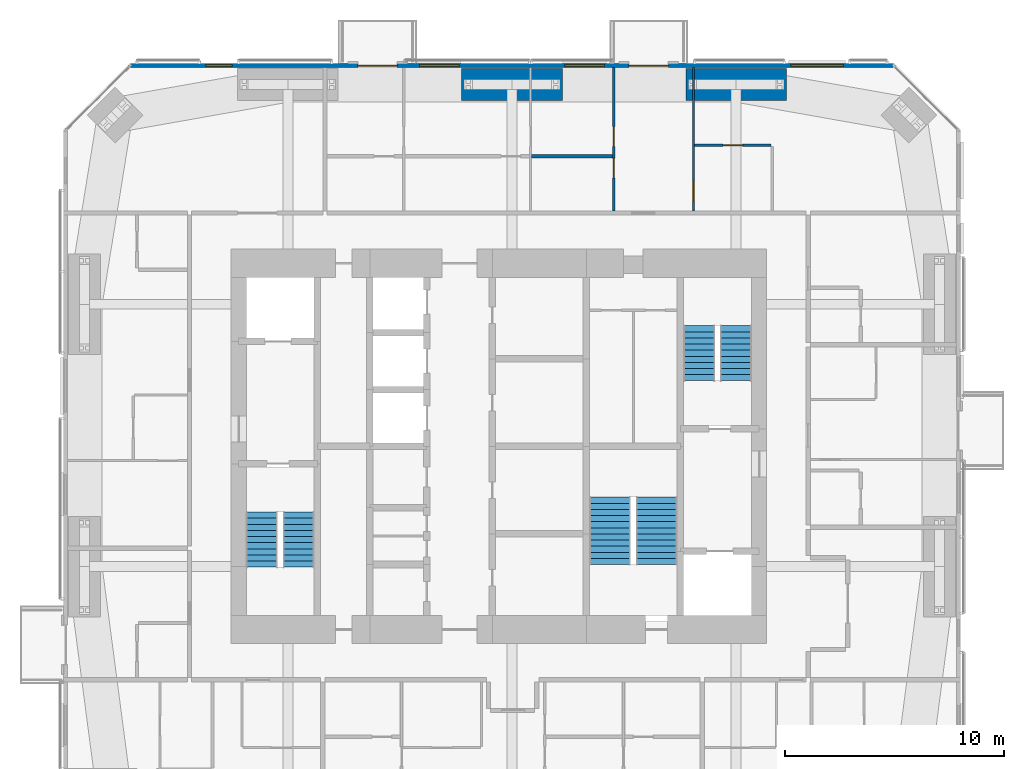
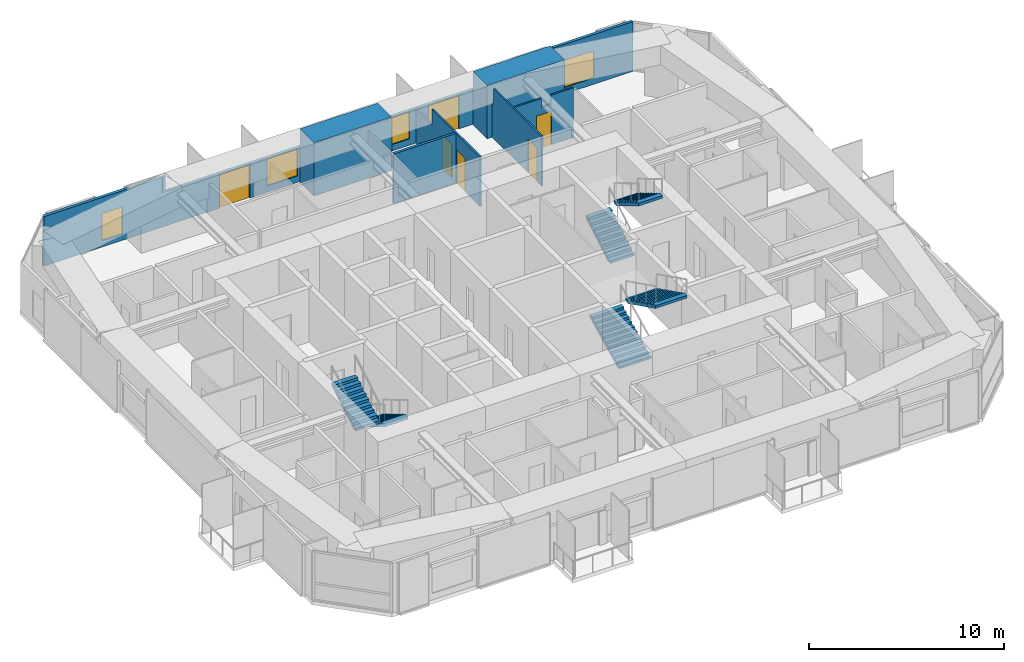
# One storey, part 21 of 22: 7 walls, 6 doors, 6 stair flights, 4 windows, 10 openings, 3 elements without a shape of their own.
"""IFC4 building model written with IfcOpenShell, lengths in metres."""

from ifc_helpers import new_model, si_unit, direction, frame, frame_2d, origin, place, context, subcontext, project, spatial, polyline, rectangle, outline, extrude, material, layer, layer_set, constituent, constituent_set, type_object, element, fill, aggregate, save


model = new_model("IFC4")

# Units and contexts
model_context = context("Model", 3, precision=1e-05, world=origin(), true_north=direction((0.0, 1.0)))
body_context = subcontext(model_context, "Body", "Model", "MODEL_VIEW")
ifc_project = project(units=[si_unit("LENGTHUNIT", "METRE"), si_unit("AREAUNIT", "SQUARE_METRE"), si_unit("VOLUMEUNIT", "CUBIC_METRE"), si_unit("PLANEANGLEUNIT", "RADIAN"), si_unit("MASSUNIT", "GRAM", prefix="KILO")], contexts=[model_context])

# Site, building, storey
site_placement = place(None, origin())
site = spatial("IfcSite", under=ifc_project, at=site_placement, CompositionType="ELEMENT")
building_placement = place(site_placement, origin())
building = spatial("IfcBuilding", under=site, at=building_placement, Name="Jalousie Tower", CompositionType="ELEMENT")
storey_placement = place(building_placement, frame((0.0, 0.0, 177.800048828125)))
storey = spatial("IfcBuildingStorey", under=building, at=storey_placement, Name="L48", CompositionType="ELEMENT", Elevation=177.800048828125)

# Wall
ifc_material_1 = material(Name="Concrete block ASTM C90", Category="concrete")
ifc_constituent_1 = constituent(ifc_material_1, Name="Body")
ifc_material_2 = material(Name="Render")
ifc_constituent_2 = constituent(ifc_material_2, Name="Finish")
ifc_constituent_set_1 = constituent_set(constituents=[ifc_constituent_1, ifc_constituent_2])
wall_type_1 = type_object("IfcWallType", Name="BATHROOM WALL 150", PredefinedType="PLUMBINGWALL", material=ifc_constituent_set_1)
wall_1_placement = place(storey_placement, frame((33.39990234375, 31.77490234375, 0.0), z_axis=(0.0, 0.0, 1.0), x_axis=(1.0, 0.0, 0.0)))
element("IfcWall", 1, at=wall_1_placement, inside=storey, type_object=wall_type_1, Name="Bathroom Wall 150 L48", PredefinedType="PLUMBINGWALL", context=body_context, shape_type="SweptSolid", body=[
    extrude(rectangle(XDim=3.7001953125, YDim=0.14990234375, at=frame_2d((1.85009765625, 0.0))), origin(), (0.0, 0.0, 1.0), 3.10986328125),
])

# Wall, openings, doors, windows
ifc_material_3 = material(Name="Concrete f'c 40 MPa", Category="concrete")
ifc_constituent_3 = constituent(ifc_material_3, Name="Body")
ifc_material_4 = material(Name="Render, pastel lemon")
ifc_constituent_4 = constituent(ifc_material_4, Name="Finish")
ifc_constituent_set_2 = constituent_set(constituents=[ifc_constituent_3, ifc_constituent_4])
wall_type_2 = type_object("IfcWallType", Name="EXTERNAL WALL 175 LEMON RENDER", PredefinedType="SOLIDWALL", material=ifc_constituent_set_2)
wall_2_placement = place(storey_placement, frame((49.94873046875, 35.91259765625, 0.0), z_axis=(0.0, 0.0, 1.0), x_axis=(-1.0, 0.0, 0.0)))
wall_2 = element("IfcWall", 2, at=wall_2_placement, inside=storey, type_object=wall_type_2, Name="External Wall 175 Lemon Render L48", PredefinedType="SOLIDWALL", context=body_context, shape_type="SweptSolid", body=[
    extrude(outline(polyline([(0.0, 0.0), (34.8974609375, 0.0), (34.8974609375, 3.10986328125), (27.91015625, 3.10986328125), (27.91015625, 2.14990234375), (27.8359375, 2.14990234375), (27.8359375, 3.10986328125), (27.69873046875, 3.10986328125), (27.69873046875, 2.14990234375), (7.19873046875, 2.14990234375), (7.19873046875, 3.10986328125), (7.0615234375, 3.10986328125), (7.0615234375, 2.14990234375), (6.9873046875, 2.14990234375), (6.9873046875, 3.10986328125), (0.0, 3.10986328125), (0.0, 0.0)])), frame((0.0, 0.08740234375, 0.0), z_axis=(0.0, -1.0, 0.0), x_axis=(1.0, 0.0, 0.0)), (0.0, 0.0, 1.0), 0.175048828125),
])
opening_1_placement = place(wall_2_placement, frame((2.299560546875, 0.0, 0.39990234375)))
opening_1 = element("IfcOpeningElement", 3, at=opening_1_placement, cuts=wall_2, Name="Opening W-LIV170", PredefinedType="OPENING", context=body_context, shape_type="SweptSolid", body=[
    extrude(rectangle(XDim=2.39990234375, YDim=1.699951171875, at=frame_2d((1.199951171875, 0.85009765625))), frame((0.0, 0.097412109375, 0.0), z_axis=(0.0, -1.0, 0.0), x_axis=(1.0, 0.0, 0.0)), (0.0, 0.0, 1.0), 0.195068359375),
])
opening_2_placement = place(wall_2_placement, frame((10.298583984375, 0.0, 0.0)))
opening_2 = element("IfcOpeningElement", 4, at=opening_2_placement, cuts=wall_2, Name="Opening D-BAL21", PredefinedType="OPENING", context=body_context, shape_type="SweptSolid", body=[
    extrude(rectangle(XDim=1.800048828125, YDim=2.10009765625, at=frame_2d((0.89990234375, 1.050048828125))), frame((0.0, 0.097412109375, 0.0), z_axis=(0.0, -1.0, 0.0), x_axis=(1.0, 0.0, 0.0)), (0.0, 0.0, 1.0), 0.195068359375),
])
opening_3_placement = place(wall_2_placement, frame((13.228759765625, 0.0, 0.39990234375)))
opening_3 = element("IfcOpeningElement", 5, at=opening_3_placement, cuts=wall_2, Name="Opening W-BED170", PredefinedType="OPENING", context=body_context, shape_type="SweptSolid", body=[
    extrude(rectangle(XDim=1.800048828125, YDim=1.699951171875, at=frame_2d((0.89990234375, 0.85009765625))), frame((0.0, 0.097412109375, 0.0), z_axis=(0.0, -1.0, 0.0), x_axis=(1.0, 0.0, 0.0)), (0.0, 0.0, 1.0), 0.195068359375),
])
opening_4_placement = place(wall_2_placement, frame((19.878662109375, 0.0, 0.39990234375)))
opening_4 = element("IfcOpeningElement", 6, at=opening_4_placement, cuts=wall_2, Name="Opening W-BED170", PredefinedType="OPENING", context=body_context, shape_type="SweptSolid", body=[
    extrude(rectangle(XDim=1.800048828125, YDim=1.699951171875, at=frame_2d((0.89990234375, 0.85009765625))), frame((0.0, 0.097412109375, 0.0), z_axis=(0.0, -1.0, 0.0), x_axis=(1.0, 0.0, 0.0)), (0.0, 0.0, 1.0), 0.195068359375),
])
opening_5_placement = place(wall_2_placement, frame((22.69873046875, 0.0, 0.0)))
opening_5 = element("IfcOpeningElement", 7, at=opening_5_placement, cuts=wall_2, Name="Opening D-BAL21", PredefinedType="OPENING", context=body_context, shape_type="SweptSolid", body=[
    extrude(rectangle(XDim=1.800048828125, YDim=2.10009765625, at=frame_2d((0.89990234375, 1.050048828125))), frame((0.0, 0.097412109375, 0.0), z_axis=(0.0, -1.0, 0.0), x_axis=(1.0, 0.0, 0.0)), (0.0, 0.0, 1.0), 0.195068359375),
])
opening_6_placement = place(wall_2_placement, frame((30.2431640625, 0.0, 0.39990234375)))
opening_6 = element("IfcOpeningElement", 8, at=opening_6_placement, cuts=wall_2, Name="Opening W-COR170", PredefinedType="OPENING", context=body_context, shape_type="SweptSolid", body=[
    extrude(rectangle(XDim=1.199951171875, YDim=1.699951171875, at=frame_2d((0.60009765625, 0.85009765625))), frame((0.0, 0.097412109375, 0.0), z_axis=(0.0, -1.0, 0.0), x_axis=(1.0, 0.0, 0.0)), (0.0, 0.0, 1.0), 0.195068359375),
])
ifc_material_5 = material(Name="Aluminium frame, impact-rated glazing", Category="aluminium")
door_type_1 = type_object("IfcDoorType", Name="BALCONY DOOR 1800x2100", OperationType="SLIDING_TO_LEFT", PredefinedType="DOOR", material=ifc_material_5)
door_1_placement = place(opening_2_placement, origin())
door_1 = element("IfcDoor", 9, at=door_1_placement, inside=storey, type_object=door_type_1, Name="Apartment 4804 study balcony door", OperationType="SLIDING_TO_LEFT", OverallHeight=2.10009765625, OverallWidth=1.800048828125, PredefinedType="DOOR", context=body_context, shape_type="SweptSolid", body=[
    extrude(rectangle(XDim=1.800048828125, YDim=2.10009765625, at=frame_2d((0.89990234375, 1.050048828125))), frame((0.0, 0.02490234375, 0.0), z_axis=(0.0, -1.0, 0.0), x_axis=(1.0, 0.0, 0.0)), (0.0, 0.0, 1.0), 0.050048828125),
])
fill(opening_2, door_1)
door_2_placement = place(opening_5_placement, origin())
door_2 = element("IfcDoor", 10, at=door_2_placement, inside=storey, type_object=door_type_1, Name="Apartment 4804 bedroom 1 balcony door", OperationType="SLIDING_TO_LEFT", OverallHeight=2.10009765625, OverallWidth=1.800048828125, PredefinedType="DOOR", context=body_context, shape_type="SweptSolid", body=[
    extrude(rectangle(XDim=1.800048828125, YDim=2.10009765625, at=frame_2d((0.89990234375, 1.050048828125))), frame((0.0, 0.02490234375, 0.0), z_axis=(0.0, -1.0, 0.0), x_axis=(1.0, 0.0, 0.0)), (0.0, 0.0, 1.0), 0.050048828125),
])
fill(opening_5, door_2)
ifc_material_6 = material(Name="Aluminium frame, impact-rated glazing", Category="aluminium")
window_type_1 = type_object("IfcWindowType", Name="WINDOW BED 1800x1700", PartitioningType="SINGLE_PANEL", PredefinedType="WINDOW", material=ifc_material_6)
window_1_placement = place(opening_3_placement, origin())
window_1 = element("IfcWindow", 11, at=window_1_placement, inside=storey, type_object=window_type_1, Name="Apartment 4804 bedroom 3 window", OverallHeight=1.699951171875, OverallWidth=1.800048828125, PartitioningType="SINGLE_PANEL", PredefinedType="WINDOW", context=body_context, shape_type="SweptSolid", body=[
    extrude(rectangle(XDim=1.800048828125, YDim=1.699951171875, at=frame_2d((0.89990234375, 0.85009765625))), frame((0.0, 0.030029296875, 0.0), z_axis=(0.0, -1.0, 0.0), x_axis=(1.0, 0.0, 0.0)), (0.0, 0.0, 1.0), 0.06005859375),
])
fill(opening_3, window_1)
window_2_placement = place(opening_4_placement, origin())
window_2 = element("IfcWindow", 12, at=window_2_placement, inside=storey, type_object=window_type_1, Name="Apartment 4804 bedroom 2 window", OverallHeight=1.699951171875, OverallWidth=1.800048828125, PartitioningType="SINGLE_PANEL", PredefinedType="WINDOW", context=body_context, shape_type="SweptSolid", body=[
    extrude(rectangle(XDim=1.800048828125, YDim=1.699951171875, at=frame_2d((0.89990234375, 0.85009765625))), frame((0.0, 0.030029296875, 0.0), z_axis=(0.0, -1.0, 0.0), x_axis=(1.0, 0.0, 0.0)), (0.0, 0.0, 1.0), 0.06005859375),
])
fill(opening_4, window_2)
ifc_material_7 = material(Name="Aluminium frame, impact-rated glazing", Category="aluminium")
window_type_2 = type_object("IfcWindowType", Name="WINDOW COR 1200x1700", PartitioningType="SINGLE_PANEL", PredefinedType="WINDOW", material=ifc_material_7)
window_3_placement = place(opening_6_placement, origin())
window_3 = element("IfcWindow", 13, at=window_3_placement, inside=storey, type_object=window_type_2, Name="Residents' lounge window", OverallHeight=1.699951171875, OverallWidth=1.199951171875, PartitioningType="SINGLE_PANEL", PredefinedType="WINDOW", context=body_context, shape_type="SweptSolid", body=[
    extrude(rectangle(XDim=1.199951171875, YDim=1.699951171875, at=frame_2d((0.60009765625, 0.85009765625))), frame((0.0, 0.030029296875, 0.0), z_axis=(0.0, -1.0, 0.0), x_axis=(1.0, 0.0, 0.0)), (0.0, 0.0, 1.0), 0.06005859375),
])
fill(opening_6, window_3)
ifc_material_8 = material(Name="Aluminium frame, impact-rated glazing", Category="aluminium")
window_type_3 = type_object("IfcWindowType", Name="WINDOW LIV 2400x1700", PartitioningType="DOUBLE_PANEL_VERTICAL", PredefinedType="WINDOW", material=ifc_material_8)
window_4_placement = place(opening_1_placement, origin())
window_4 = element("IfcWindow", 14, at=window_4_placement, inside=storey, type_object=window_type_3, Name="Apartment 4804 living and dining room window", OverallHeight=1.699951171875, OverallWidth=2.39990234375, PartitioningType="SINGLE_PANEL", PredefinedType="WINDOW", context=body_context, shape_type="SweptSolid", body=[
    extrude(rectangle(XDim=2.39990234375, YDim=1.699951171875, at=frame_2d((1.199951171875, 0.85009765625))), frame((0.0, 0.030029296875, 0.0), z_axis=(0.0, -1.0, 0.0), x_axis=(1.0, 0.0, 0.0)), (0.0, 0.0, 1.0), 0.06005859375),
])
fill(opening_1, window_4)

# Wall, openings, doors
ifc_material_9 = material(Name="Gypsum board", Category="gypsum")
ifc_constituent_5 = constituent(ifc_material_9, Name="Body")
ifc_material_10 = material(Name="Light-gauge steel studs ASTM A653 SS Grade 33", Category="steel")
ifc_constituent_6 = constituent(ifc_material_10, Name="Framing")
ifc_constituent_set_3 = constituent_set(constituents=[ifc_constituent_5, ifc_constituent_6])
wall_type_3 = type_object("IfcWallType", Name="PARTITION 100", PredefinedType="PARTITIONING", material=ifc_constituent_set_3)
wall_3_placement = place(storey_placement, frame((37.14990234375, 35.824951171875, 0.0), z_axis=(0.0, 0.0, 1.0), x_axis=(0.0, -1.0, 0.0)))
wall_3 = element("IfcWall", 15, at=wall_3_placement, inside=storey, type_object=wall_type_3, Name="Partition 100 L48", PredefinedType="PARTITIONING", context=body_context, shape_type="SweptSolid", body=[
    extrude(outline(polyline([(0.0, 0.0), (6.550048828125, 0.0), (6.550048828125, 3.10986328125), (1.635009765625, 3.10986328125), (1.635009765625, 2.14990234375), (0.0, 2.14990234375), (0.0, 3.10986328125), (0.0, 0.0)])), frame((0.0, 0.050048828125, 0.0), z_axis=(0.0, -1.0, 0.0), x_axis=(1.0, 0.0, 0.0)), (0.0, 0.0, 1.0), 0.10009765625),
])
opening_7_placement = place(wall_3_placement, frame((2.699951171875, 0.0, 0.0)))
opening_7 = element("IfcOpeningElement", 16, at=opening_7_placement, cuts=wall_3, Name="Opening D2", PredefinedType="OPENING", context=body_context, shape_type="SweptSolid", body=[
    extrude(rectangle(XDim=0.89990234375, YDim=2.10009765625, at=frame_2d((0.449951171875, 1.050048828125))), frame((0.0, 0.06005859375, 0.0), z_axis=(0.0, -1.0, 0.0), x_axis=(1.0, 0.0, 0.0)), (0.0, 0.0, 1.0), 0.1201171875),
])
opening_8_placement = place(wall_3_placement, frame((4.14990234375, 0.0, 0.0)))
opening_8 = element("IfcOpeningElement", 17, at=opening_8_placement, cuts=wall_3, Name="Opening D7", PredefinedType="OPENING", context=body_context, shape_type="SweptSolid", body=[
    extrude(rectangle(XDim=0.89990234375, YDim=2.10009765625, at=frame_2d((0.449951171875, 1.050048828125))), frame((0.0, 0.06005859375, 0.0), z_axis=(0.0, -1.0, 0.0), x_axis=(1.0, 0.0, 0.0)), (0.0, 0.0, 1.0), 0.1201171875),
])
ifc_material_11 = material(Name="Timber door", Category="wood")
door_type_2 = type_object("IfcDoorType", Name="BEDROOM DOOR 900", OperationType="SINGLE_SWING_LEFT", PredefinedType="DOOR", material=ifc_material_11)
door_3_placement = place(opening_7_placement, frame((0.89990234375, 0.0, 0.0), z_axis=(0.0, 0.0, 1.0), x_axis=(-1.0, 0.0, 0.0)))
door_3 = element("IfcDoor", 18, at=door_3_placement, inside=storey, type_object=door_type_2, Name="Apartment 4804 bedroom 3 door", OperationType="SINGLE_SWING_LEFT", OverallHeight=2.10009765625, OverallWidth=0.89990234375, PredefinedType="DOOR", context=body_context, shape_type="SweptSolid", body=[
    extrude(rectangle(XDim=0.89990234375, YDim=2.10009765625, at=frame_2d((0.449951171875, 1.050048828125))), frame((0.0, 0.02490234375, 0.0), z_axis=(0.0, -1.0, 0.0), x_axis=(1.0, 0.0, 0.0)), (0.0, 0.0, 1.0), 0.050048828125),
])
fill(opening_7, door_3)
ifc_material_12 = material(Name="Timber door", Category="wood")
door_type_3 = type_object("IfcDoorType", Name="INTERNAL DOOR 900", OperationType="SINGLE_SWING_LEFT", PredefinedType="DOOR", material=ifc_material_12)
door_4_placement = place(opening_8_placement, frame((0.89990234375, 0.0, 0.0), z_axis=(0.0, 0.0, 1.0), x_axis=(-1.0, 0.0, 0.0)))
door_4 = element("IfcDoor", 19, at=door_4_placement, inside=storey, type_object=door_type_3, Name="Apartment 4804 bathroom door", OperationType="SINGLE_SWING_RIGHT", OverallHeight=2.10009765625, OverallWidth=0.89990234375, PredefinedType="DOOR", context=body_context, shape_type="SweptSolid", body=[
    extrude(rectangle(XDim=0.89990234375, YDim=2.10009765625, at=frame_2d((0.449951171875, 1.050048828125))), frame((0.0, 0.02490234375, 0.0), z_axis=(0.0, -1.0, 0.0), x_axis=(1.0, 0.0, 0.0)), (0.0, 0.0, 1.0), 0.050048828125),
])
fill(opening_8, door_4)

# Wall, opening, door
wall_4_placement = place(storey_placement, frame((40.800048828125, 35.824951171875, 0.0), z_axis=(0.0, 0.0, 1.0), x_axis=(0.0, -1.0, 0.0)))
wall_4 = element("IfcWall", 20, at=wall_4_placement, inside=storey, type_object=wall_type_3, Name="Partition 100 L48", PredefinedType="PARTITIONING", context=body_context, shape_type="SweptSolid", body=[
    extrude(outline(polyline([(0.0, 0.0), (6.550048828125, 0.0), (6.550048828125, 3.10986328125), (1.635009765625, 3.10986328125), (1.635009765625, 2.14990234375), (0.0, 2.14990234375), (0.0, 3.10986328125), (0.0, 0.0)])), frame((0.0, 0.050048828125, 0.0), z_axis=(0.0, -1.0, 0.0), x_axis=(1.0, 0.0, 0.0)), (0.0, 0.0, 1.0), 0.10009765625),
])
opening_9_placement = place(wall_4_placement, frame((5.199951171875, 0.0, 0.0)))
opening_9 = element("IfcOpeningElement", 21, at=opening_9_placement, cuts=wall_4, Name="Opening D2", PredefinedType="OPENING", context=body_context, shape_type="SweptSolid", body=[
    extrude(rectangle(XDim=0.89990234375, YDim=2.10009765625, at=frame_2d((0.449951171875, 1.050048828125))), frame((0.0, 0.06005859375, 0.0), z_axis=(0.0, -1.0, 0.0), x_axis=(1.0, 0.0, 0.0)), (0.0, 0.0, 1.0), 0.1201171875),
])
door_5_placement = place(opening_9_placement, frame((0.89990234375, 0.0, 0.0), z_axis=(0.0, 0.0, 1.0), x_axis=(-1.0, 0.0, 0.0)))
door_5 = element("IfcDoor", 22, at=door_5_placement, inside=storey, type_object=door_type_2, Name="Apartment 4804 study door", OperationType="SINGLE_SWING_LEFT", OverallHeight=2.10009765625, OverallWidth=0.89990234375, PredefinedType="DOOR", context=body_context, shape_type="SweptSolid", body=[
    extrude(rectangle(XDim=0.89990234375, YDim=2.10009765625, at=frame_2d((0.449951171875, 1.050048828125))), frame((0.0, 0.02490234375, 0.0), z_axis=(0.0, -1.0, 0.0), x_axis=(1.0, 0.0, 0.0)), (0.0, 0.0, 1.0), 0.050048828125),
])
fill(opening_9, door_5)

wall_5_placement = place(storey_placement, frame((40.85009765625, 32.27490234375, 0.0), z_axis=(0.0, 0.0, 1.0), x_axis=(1.0, 0.0, 0.0)))
wall_5 = element("IfcWall", 23, at=wall_5_placement, inside=storey, type_object=wall_type_3, Name="Partition 100 L48", PredefinedType="PARTITIONING", context=body_context, shape_type="SweptSolid", body=[
    extrude(outline(polyline([(0.0, 0.0), (3.5, 0.0), (3.5, 3.10986328125), (2.1875, 3.10986328125), (2.1875, 2.541015625), (1.61279296875, 2.541015625), (1.61279296875, 3.10986328125), (0.0, 3.10986328125), (0.0, 0.0)])), frame((0.0, 0.050048828125, 0.0), z_axis=(0.0, -1.0, 0.0), x_axis=(1.0, 0.0, 0.0)), (0.0, 0.0, 1.0), 0.10009765625),
])
opening_10_placement = place(wall_5_placement, frame((1.300048828125, 0.0, 0.0)))
opening_10 = element("IfcOpeningElement", 24, at=opening_10_placement, cuts=wall_5, Name="Opening D7", PredefinedType="OPENING", context=body_context, shape_type="SweptSolid", body=[
    extrude(rectangle(XDim=0.89990234375, YDim=2.10009765625, at=frame_2d((0.449951171875, 1.050048828125))), frame((0.0, 0.06005859375, 0.0), z_axis=(0.0, -1.0, 0.0), x_axis=(1.0, 0.0, 0.0)), (0.0, 0.0, 1.0), 0.1201171875),
])
door_6_placement = place(opening_10_placement, origin())
door_6 = element("IfcDoor", 25, at=door_6_placement, inside=storey, type_object=door_type_3, Name="Apartment 4804 kitchen door", OperationType="SINGLE_SWING_LEFT", OverallHeight=2.10009765625, OverallWidth=0.89990234375, PredefinedType="DOOR", context=body_context, shape_type="SweptSolid", body=[
    extrude(rectangle(XDim=0.89990234375, YDim=2.10009765625, at=frame_2d((0.449951171875, 1.050048828125))), frame((0.0, 0.02490234375, 0.0), z_axis=(0.0, -1.0, 0.0), x_axis=(1.0, 0.0, 0.0)), (0.0, 0.0, 1.0), 0.050048828125),
])
fill(opening_10, door_6)

# Walls
ifc_material_13 = material(Name="Concrete f'c 120 MPa", Category="concrete")
ifc_layer = layer(ifc_material_13, 1.449951171875)
ifc_layer_set = layer_set([ifc_layer], Name="Concrete f'c 120 MPa")
wall_type_4 = type_object("IfcWallType", Name="RC WALL PIER 1450", PredefinedType="SHEAR", material=ifc_layer_set)
for number, where, z_axis, x_axis, name in (
    (26, (40.449951171875, 35.050048828125, 0.0), (0.0, 0.0, 1.0), (1.0, 0.0, 0.0), "Wall pier 09 L48"),
    (27, (30.199951171875, 35.050048828125, 0.0), (0.0, 0.0, 1.0), (1.0, 0.0, 0.0), "Wall pier 10 L48"),
):
    element("IfcWall", number, at=place(storey_placement, frame(where, z_axis=z_axis, x_axis=x_axis)), inside=storey, type_object=wall_type_4, Name=name, PredefinedType="SHEAR", context=body_context, shape_type="SweptSolid", body=[
        extrude(rectangle(XDim=4.60009765625, YDim=1.449951171875, at=frame_2d((2.300048828125, 0.0))), origin(), (0.0, 0.0, 1.0), 3.349853515625),
    ])

# Stair, stair flights
ifc_material_14 = material(Name="Concrete f'c 40 MPa", Category="concrete")
stair_type = type_object("IfcStairType", Name="EXIT STAIR", PredefinedType="HALF_TURN_STAIR", material=ifc_material_14)
stair_1_placement = place(storey_placement, origin())
stair_1 = element("IfcStair", 28, at=stair_1_placement, inside=storey, type_object=stair_type, Name="Exit stair A L48", PredefinedType="HALF_TURN_STAIR")
ifc_material_15 = material(Name="Concrete f'c 40 MPa", Category="concrete")
stair_flight_type = type_object("IfcStairFlightType", Name="STAIR FLIGHT", PredefinedType="STRAIGHT", material=ifc_material_15)
stair_flight_1_placement = place(storey_placement, frame((22.737548828125, 15.49755859375, 0.0), z_axis=(0.0, 0.0, 1.0), x_axis=(0.0, -1.0, 0.0)))
stair_flight_1 = element("IfcStairFlight", 29, at=stair_flight_1_placement, type_object=stair_flight_type, Name="ST-A flight 1", NumberOfRisers=10, NumberOfTreads=9, PredefinedType="STRAIGHT", RiserHeight=0.1675, TreadLength=0.28, context=body_context, shape_type="SweptSolid", body=[
    extrude(outline(polyline([(0.0, 0.0), (0.0, 0.16748046875), (0.280029296875, 0.16748046875), (0.280029296875, 0.3349609375), (0.56005859375, 0.3349609375), (0.56005859375, 0.50244140625), (0.840087890625, 0.50244140625), (0.840087890625, 0.669921875), (1.1201171875, 0.669921875), (1.1201171875, 0.83740234375), (1.39990234375, 0.83740234375), (1.39990234375, 1.0048828125), (1.679931640625, 1.0048828125), (1.679931640625, 1.172607421875), (1.9599609375, 1.172607421875), (1.9599609375, 1.340087890625), (2.239990234375, 1.340087890625), (2.239990234375, 1.507568359375), (2.52001953125, 1.507568359375), (2.52001953125, 1.675048828125), (2.52001953125, 1.332763671875), (0.2919921875, 0.0), (0.0, 0.0)])), frame((0.0, 0.71240234375, 0.0), z_axis=(0.0, -1.0, 0.0), x_axis=(1.0, 0.0, 0.0)), (0.0, 0.0, 1.0), 1.425048828125),
])
stair_flight_2_placement = place(storey_placement, frame((21.0625, 12.9775390625, 1.675048828125), z_axis=(0.0, 0.0, 1.0), x_axis=(0.0, 1.0, 0.0)))
stair_flight_2 = element("IfcStairFlight", 30, at=stair_flight_2_placement, type_object=stair_flight_type, Name="ST-A flight 2", NumberOfRisers=10, NumberOfTreads=9, PredefinedType="STRAIGHT", RiserHeight=0.1675, TreadLength=0.28, context=body_context, shape_type="SweptSolid", body=[
    extrude(outline(polyline([(0.0, 0.0), (0.0, 0.16748046875), (0.280029296875, 0.16748046875), (0.280029296875, 0.3349609375), (0.56005859375, 0.3349609375), (0.56005859375, 0.50244140625), (0.840087890625, 0.50244140625), (0.840087890625, 0.669921875), (1.1201171875, 0.669921875), (1.1201171875, 0.83740234375), (1.39990234375, 0.83740234375), (1.39990234375, 1.0048828125), (1.679931640625, 1.0048828125), (1.679931640625, 1.172607421875), (1.9599609375, 1.172607421875), (1.9599609375, 1.340087890625), (2.239990234375, 1.340087890625), (2.239990234375, 1.507568359375), (2.52001953125, 1.507568359375), (2.52001953125, 1.675048828125), (2.52001953125, 1.332763671875), (0.2919921875, 0.0), (0.0, 0.0)])), frame((0.0, 0.71240234375, 0.0), z_axis=(0.0, -1.0, 0.0), x_axis=(1.0, 0.0, 0.0)), (0.0, 0.0, 1.0), 1.425048828125),
])
aggregate(stair_1, [stair_flight_1, stair_flight_2])

stair_2_placement = place(storey_placement, origin())
stair_2 = element("IfcStair", 31, at=stair_2_placement, inside=storey, type_object=stair_type, Name="Exit stair B L48", PredefinedType="HALF_TURN_STAIR")
stair_flight_3_placement = place(storey_placement, frame((41.0625, 21.50244140625, 0.0), z_axis=(0.0, 0.0, 1.0), x_axis=(0.0, 1.0, 0.0)))
stair_flight_3 = element("IfcStairFlight", 32, at=stair_flight_3_placement, type_object=stair_flight_type, Name="ST-B flight 1", NumberOfRisers=10, NumberOfTreads=9, PredefinedType="STRAIGHT", RiserHeight=0.1675, TreadLength=0.28, context=body_context, shape_type="SweptSolid", body=[
    extrude(outline(polyline([(0.0, 0.0), (0.0, 0.16748046875), (0.280029296875, 0.16748046875), (0.280029296875, 0.3349609375), (0.56005859375, 0.3349609375), (0.56005859375, 0.50244140625), (0.840087890625, 0.50244140625), (0.840087890625, 0.669921875), (1.1201171875, 0.669921875), (1.1201171875, 0.83740234375), (1.39990234375, 0.83740234375), (1.39990234375, 1.0048828125), (1.679931640625, 1.0048828125), (1.679931640625, 1.172607421875), (1.9599609375, 1.172607421875), (1.9599609375, 1.340087890625), (2.239990234375, 1.340087890625), (2.239990234375, 1.507568359375), (2.52001953125, 1.507568359375), (2.52001953125, 1.675048828125), (2.52001953125, 1.332763671875), (0.2919921875, 0.0), (0.0, 0.0)])), frame((0.0, 0.71240234375, 0.0), z_axis=(0.0, -1.0, 0.0), x_axis=(1.0, 0.0, 0.0)), (0.0, 0.0, 1.0), 1.425048828125),
])
stair_flight_4_placement = place(storey_placement, frame((42.737548828125, 24.0224609375, 1.675048828125), z_axis=(0.0, 0.0, 1.0), x_axis=(0.0, -1.0, 0.0)))
stair_flight_4 = element("IfcStairFlight", 33, at=stair_flight_4_placement, type_object=stair_flight_type, Name="ST-B flight 2", NumberOfRisers=10, NumberOfTreads=9, PredefinedType="STRAIGHT", RiserHeight=0.1675, TreadLength=0.28, context=body_context, shape_type="SweptSolid", body=[
    extrude(outline(polyline([(0.0, 0.0), (0.0, 0.16748046875), (0.280029296875, 0.16748046875), (0.280029296875, 0.3349609375), (0.56005859375, 0.3349609375), (0.56005859375, 0.50244140625), (0.840087890625, 0.50244140625), (0.840087890625, 0.669921875), (1.1201171875, 0.669921875), (1.1201171875, 0.83740234375), (1.39990234375, 0.83740234375), (1.39990234375, 1.0048828125), (1.679931640625, 1.0048828125), (1.679931640625, 1.172607421875), (1.9599609375, 1.172607421875), (1.9599609375, 1.340087890625), (2.239990234375, 1.340087890625), (2.239990234375, 1.507568359375), (2.52001953125, 1.507568359375), (2.52001953125, 1.675048828125), (2.52001953125, 1.332763671875), (0.2919921875, 0.0), (0.0, 0.0)])), frame((0.0, 0.71240234375, 0.0), z_axis=(0.0, -1.0, 0.0), x_axis=(1.0, 0.0, 0.0)), (0.0, 0.0, 1.0), 1.425048828125),
])
aggregate(stair_2, [stair_flight_3, stair_flight_4])

stair_3_placement = place(storey_placement, origin())
stair_3 = element("IfcStair", 34, at=stair_3_placement, inside=storey, type_object=stair_type, Name="Exit stair C L48", PredefinedType="HALF_TURN_STAIR")
stair_flight_5_placement = place(storey_placement, frame((36.987548828125, 13.097412109375, 0.0), z_axis=(0.0, 0.0, 1.0), x_axis=(0.0, 1.0, 0.0)))
stair_flight_5 = element("IfcStairFlight", 35, at=stair_flight_5_placement, type_object=stair_flight_type, Name="ST-C flight 1", NumberOfRisers=12, NumberOfTreads=11, PredefinedType="STRAIGHT", RiserHeight=0.139583333, TreadLength=0.28, context=body_context, shape_type="SweptSolid", body=[
    extrude(outline(polyline([(0.0, 0.0), (0.0, 0.1396484375), (0.280029296875, 0.1396484375), (0.280029296875, 0.279052734375), (0.56005859375, 0.279052734375), (0.56005859375, 0.418701171875), (0.840087890625, 0.418701171875), (0.840087890625, 0.558349609375), (1.1201171875, 0.558349609375), (1.1201171875, 0.697998046875), (1.39990234375, 0.697998046875), (1.39990234375, 0.83740234375), (1.679931640625, 0.83740234375), (1.679931640625, 0.97705078125), (1.9599609375, 0.97705078125), (1.9599609375, 1.11669921875), (2.239990234375, 1.11669921875), (2.239990234375, 1.25634765625), (2.52001953125, 1.25634765625), (2.52001953125, 1.395751953125), (2.800048828125, 1.395751953125), (2.800048828125, 1.535400390625), (3.080078125, 1.535400390625), (3.080078125, 1.675048828125), (3.080078125, 1.367919921875), (0.3359375, 0.0), (0.0, 0.0)])), frame((0.0, 0.9375, 0.0), z_axis=(0.0, -1.0, 0.0), x_axis=(1.0, 0.0, 0.0)), (0.0, 0.0, 1.0), 1.875),
])
stair_flight_6_placement = place(storey_placement, frame((39.112548828125, 16.177490234375, 1.675048828125), z_axis=(0.0, 0.0, 1.0), x_axis=(0.0, -1.0, 0.0)))
stair_flight_6 = element("IfcStairFlight", 36, at=stair_flight_6_placement, type_object=stair_flight_type, Name="ST-C flight 2", NumberOfRisers=12, NumberOfTreads=11, PredefinedType="STRAIGHT", RiserHeight=0.139583333, TreadLength=0.28, context=body_context, shape_type="SweptSolid", body=[
    extrude(outline(polyline([(0.0, 0.0), (0.0, 0.1396484375), (0.280029296875, 0.1396484375), (0.280029296875, 0.279052734375), (0.56005859375, 0.279052734375), (0.56005859375, 0.418701171875), (0.840087890625, 0.418701171875), (0.840087890625, 0.558349609375), (1.1201171875, 0.558349609375), (1.1201171875, 0.697998046875), (1.39990234375, 0.697998046875), (1.39990234375, 0.83740234375), (1.679931640625, 0.83740234375), (1.679931640625, 0.97705078125), (1.9599609375, 0.97705078125), (1.9599609375, 1.11669921875), (2.239990234375, 1.11669921875), (2.239990234375, 1.25634765625), (2.52001953125, 1.25634765625), (2.52001953125, 1.395751953125), (2.800048828125, 1.395751953125), (2.800048828125, 1.535400390625), (3.080078125, 1.535400390625), (3.080078125, 1.675048828125), (3.080078125, 1.367919921875), (0.3359375, 0.0), (0.0, 0.0)])), frame((0.0, 0.9375, 0.0), z_axis=(0.0, -1.0, 0.0), x_axis=(1.0, 0.0, 0.0)), (0.0, 0.0, 1.0), 1.875),
])
aggregate(stair_3, [stair_flight_5, stair_flight_6])

save(model, "model.ifc")
